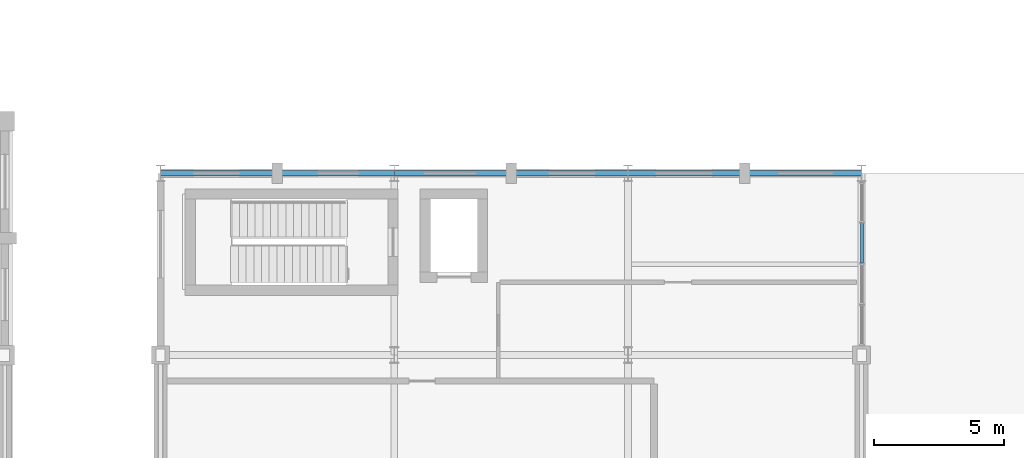
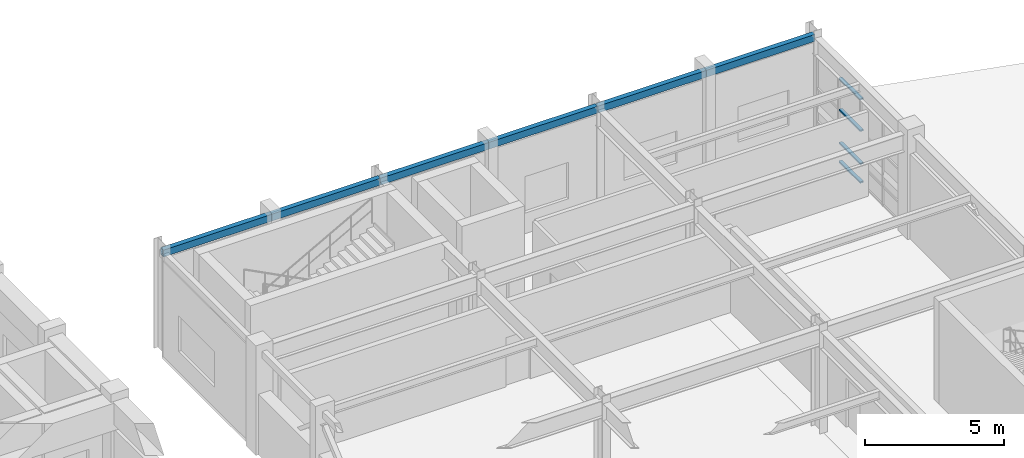
# One storey, part 68 of 104: 6 beams, 4 members, 1 element without a shape of its own.
"""IFC4 building model written with IfcOpenShell, lengths in metres."""

from ifc_helpers import new_model, si_unit, direction, frame, origin, origin_2d, place, context, subcontext, project, spatial, hollow_rectangle, extrude, material, layer, layer_set, material_profile, profile_set, type_object, element, aggregate, save


model = new_model("IFC4")

# Units and contexts
model_context = context("Model", 3, precision=1e-05, world=origin(), true_north=direction((0.0, 1.0)))
body_context = subcontext(model_context, "Body", "Model", "MODEL_VIEW")
ifc_project = project(units=[si_unit("LENGTHUNIT", "METRE"), si_unit("AREAUNIT", "SQUARE_METRE"), si_unit("VOLUMEUNIT", "CUBIC_METRE"), si_unit("PLANEANGLEUNIT", "RADIAN"), si_unit("MASSUNIT", "GRAM", prefix="KILO")], contexts=[model_context])

# Site, building, storey
site_placement = place(None, origin())
site = spatial("IfcSite", under=ifc_project, at=site_placement, CompositionType="ELEMENT")
building_placement = place(site_placement, origin())
building = spatial("IfcBuilding", under=site, at=building_placement, Name="Ventoquebrada Cableway Terminal", CompositionType="ELEMENT")
storey_placement = place(building_placement, frame((0.0, 0.0, 4.800048828125)))
storey = spatial("IfcBuildingStorey", under=building, at=storey_placement, Name="L01", CompositionType="ELEMENT", Elevation=4.800048828125)

# Curtain wall, members
ifc_material_1 = material(Name="Anodized thermally-broken aluminium", Category="aluminium")
ifc_layer = layer(ifc_material_1, 0.159912109375)
ifc_layer_set = layer_set([ifc_layer], Name="Anodized thermally-broken aluminium")
curtain_wall_type = type_object("IfcCurtainWallType", Name="CW-T32", PredefinedType="USERDEFINED", material=ifc_layer_set)
curtain_wall_placement = place(storey_placement, origin())
curtain_wall = element("IfcCurtainWall", 1, at=curtain_wall_placement, inside=storey, type_object=curtain_wall_type, Name="Unitised glazed curtain wall CW-077", ObjectType="UNITISED CURTAIN WALL", PredefinedType="USERDEFINED")
ifc_material_profile_1 = material_profile(ifc_material_1, hollow_rectangle(XDim=0.06494140625, YDim=0.139892578125, WallThickness=0.00390625, at=origin_2d()), Name="CW-TRN-65X140")
ifc_profile_set_1 = profile_set([ifc_material_profile_1], Name="Anodized thermally-broken aluminium")
member_type = type_object("IfcMemberType", Name="CWT-01", PredefinedType="USERDEFINED", material=ifc_profile_set_1)
member_1_placement = place(storey_placement, frame((156.0, 98.547119140625, 0.034912109375), z_axis=(0.0, 1.0, 0.0), x_axis=(0.0, 0.0, 1.0)))
member_1 = element("IfcMember", 2, at=member_1_placement, type_object=member_type, Name="Curtain wall transom FTR-1076", ObjectType="TRANSOM", PredefinedType="USERDEFINED", context=body_context, shape_type="SweptSolid", body=[
    extrude(hollow_rectangle(XDim=0.06494140625, YDim=0.139892578125, WallThickness=0.00390625, at=origin_2d()), origin(), (0.0, 0.0, 1.0), 1.52685546875),
])
member_2_placement = place(storey_placement, frame((156.0, 98.547119140625, 0.849853515625), z_axis=(0.0, 1.0, 0.0), x_axis=(0.0, 0.0, 1.0)))
member_2 = element("IfcMember", 3, at=member_2_placement, type_object=member_type, Name="Curtain wall transom FTR-1077", ObjectType="TRANSOM", PredefinedType="USERDEFINED", context=body_context, shape_type="SweptSolid", body=[
    extrude(hollow_rectangle(XDim=0.06494140625, YDim=0.139892578125, WallThickness=0.00390625, at=origin_2d()), origin(), (0.0, 0.0, 1.0), 1.52685546875),
])
member_3_placement = place(storey_placement, frame((156.0, 98.547119140625, 2.299072265625), z_axis=(0.0, 1.0, 0.0), x_axis=(0.0, 0.0, 1.0)))
member_3 = element("IfcMember", 4, at=member_3_placement, type_object=member_type, Name="Curtain wall transom FTR-1078", ObjectType="TRANSOM", PredefinedType="USERDEFINED", context=body_context, shape_type="SweptSolid", body=[
    extrude(hollow_rectangle(XDim=0.06494140625, YDim=0.139892578125, WallThickness=0.00390625, at=origin_2d()), origin(), (0.0, 0.0, 1.0), 1.52685546875),
])
member_4_placement = place(storey_placement, frame((156.0, 98.547119140625, 3.6728515625), z_axis=(0.0, 1.0, 0.0), x_axis=(0.0, 0.0, 1.0)))
member_4 = element("IfcMember", 5, at=member_4_placement, type_object=member_type, Name="Curtain wall transom FTR-1079", ObjectType="TRANSOM", PredefinedType="USERDEFINED", context=body_context, shape_type="SweptSolid", body=[
    extrude(hollow_rectangle(XDim=0.06494140625, YDim=0.139892578125, WallThickness=0.00390625, at=origin_2d()), origin(), (0.0, 0.0, 1.0), 1.52685546875),
])
aggregate(curtain_wall, [member_1, member_2, member_3, member_4])

# Beams
ifc_material_2 = material(Name="Steel ASTM A500 Grade C", Category="steel")
ifc_material_profile_2 = material_profile(ifc_material_2, hollow_rectangle(XDim=0.199951171875, YDim=0.300048828125, WallThickness=0.012451171875, at=origin_2d()), Name="RHS300X200X12.5")
ifc_profile_set_2 = profile_set([ifc_material_profile_2], Name="Steel ASTM A500 Grade C")
beam_type = type_object("IfcBeamType", Name="SP-ST02", PredefinedType="SPANDREL", material=ifc_profile_set_2)
for number, where, z_axis, x_axis, name in (
    (6, (129.0, 102.0, 4.324951171875), (1.0, 0.0, 0.0), (0.0, 1.0, 0.0), "Perimeter spandrel beam FBM-0836"),
    (7, (133.5, 102.0, 4.324951171875), (1.0, 0.0, 0.0), (0.0, 1.0, 0.0), "Perimeter spandrel beam FBM-0837"),
    (8, (138.0, 102.0, 4.324951171875), (1.0, 0.0, 0.0), (0.0, 1.0, 0.0), "Perimeter spandrel beam FBM-0838"),
    (9, (142.5, 102.0, 4.324951171875), (1.0, 0.0, 0.0), (0.0, 1.0, 0.0), "Perimeter spandrel beam FBM-0839"),
    (10, (147.0, 102.0, 4.324951171875), (1.0, 0.0, 0.0), (0.0, 1.0, 0.0), "Perimeter spandrel beam FBM-0840"),
    (11, (151.5, 102.0, 4.324951171875), (1.0, 0.0, 0.0), (0.0, 1.0, 0.0), "Perimeter spandrel beam FBM-0841"),
):
    element("IfcBeam", number, at=place(storey_placement, frame(where, z_axis=z_axis, x_axis=x_axis)), inside=storey, type_object=beam_type, Name=name, PredefinedType="SPANDREL", context=body_context, shape_type="SweptSolid", body=[
        extrude(hollow_rectangle(XDim=0.199951171875, YDim=0.300048828125, WallThickness=0.012451171875, at=origin_2d()), origin(), (0.0, 0.0, 1.0), 4.5),
    ])

save(model, "model.ifc")
